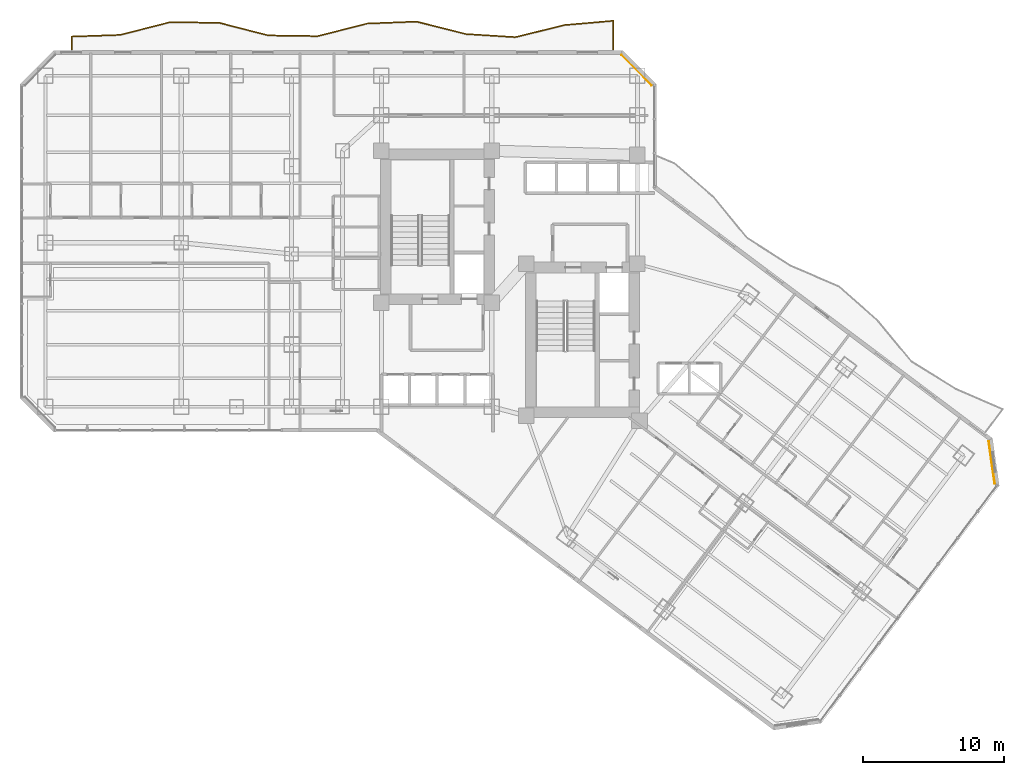
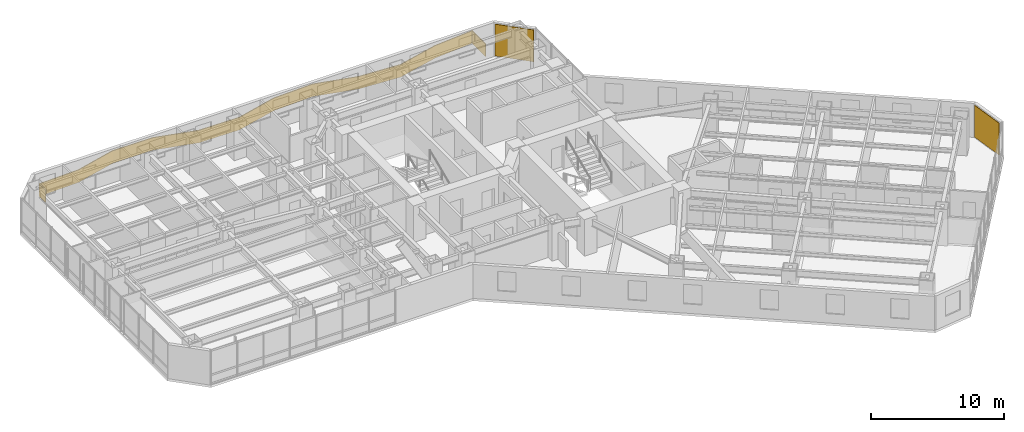
# One storey, part 33 of 33: 2 coverings, 1 railing.
"""IFC4 building model written with IfcOpenShell, lengths in metres."""

from ifc_helpers import new_model, si_unit, direction, frame, origin, origin_2d, place, context, subcontext, project, spatial, polyline, rectangle, outline, extrude, material, layer, layer_set, type_object, element, save


model = new_model("IFC4")

# Units and contexts
model_context = context("Model", 3, precision=1e-05, world=origin(), true_north=direction((0.0, 1.0)))
body_context = subcontext(model_context, "Body", "Model", "MODEL_VIEW")
ifc_project = project(units=[si_unit("LENGTHUNIT", "METRE"), si_unit("AREAUNIT", "SQUARE_METRE"), si_unit("VOLUMEUNIT", "CUBIC_METRE"), si_unit("PLANEANGLEUNIT", "RADIAN"), si_unit("MASSUNIT", "GRAM", prefix="KILO")], contexts=[model_context])

# Site, building, storey
site_placement = place(None, origin())
site = spatial("IfcSite", under=ifc_project, at=site_placement, CompositionType="ELEMENT")
building_placement = place(site_placement, origin())
building = spatial("IfcBuilding", under=site, at=building_placement, Name="Hatsunagi Terrace Concourse", CompositionType="ELEMENT")
storey_placement = place(building_placement, frame((0.0, 0.0, 56.699951171875)))
storey = spatial("IfcBuildingStorey", under=building, at=storey_placement, Name="L14", CompositionType="ELEMENT", Elevation=56.699951171875)

# Railing
ifc_material_1 = material(Name="Laminated Glass and Stainless Steel Guard", Category="steel")
ifc_layer_1 = layer(ifc_material_1, 0.070068359375)
ifc_layer_set_1 = layer_set([ifc_layer_1], Name="BalconyGlassGuardRail_1150")
railing_type = type_object("IfcRailingType", Name="BalconyGlassGuardRail_1150", PredefinedType="BALUSTRADE", material=ifc_layer_set_1)
railing_placement = place(storey_placement, origin())
element("IfcRailing", 1, at=railing_placement, inside=storey, type_object=railing_type, Name="Engawa Balcony Guard GRD-01 L14-BN-1", PredefinedType="BALUSTRADE", context=body_context, shape_type="SweptSolid", body=[
    extrude(outline(polyline([(3.614990234375, 50.449951171875), (3.68505859375, 50.449951171875), (3.68505859375, 51.34228515625), (7.10302734375, 51.4580078125), (10.59228515625, 52.35205078125), (14.061279296875, 52.318115234375), (17.55224609375, 51.421142578125), (21.065185546875, 51.369873046875), (24.55712890625, 52.26220703125), (28.02734375, 52.397705078125), (31.513671875, 51.519287109375), (35.025146484375, 51.298583984375), (38.522705078125, 52.158447265625), (41.9150390625, 52.450927734375), (41.9150390625, 50.449951171875), (41.985107421875, 50.449951171875), (41.985107421875, 52.527099609375), (38.51123046875, 52.2275390625), (35.018798828125, 51.369384765625), (31.5244140625, 51.588623046875), (28.03466796875, 52.46826171875), (24.546875, 52.331787109375), (21.056884765625, 51.440185546875), (17.561767578125, 51.490966796875), (14.070556640625, 52.387939453125), (10.583740234375, 52.422119140625), (7.093017578125, 51.52783203125), (3.614990234375, 51.409912109375), (3.614990234375, 50.449951171875)])), origin(), (0.0, 0.0, 1.0), 1.150146484375),
])

# Coverings
ifc_material_2 = material(Name="Unglazed Warm Terracotta Rainscreen Tile", Category="masonry")
ifc_layer_2 = layer(ifc_material_2, 0.044921875)
ifc_layer_set_2 = layer_set([ifc_layer_2], Name="TerracottaRainscreenCladding_45")
covering_type = type_object("IfcCoveringType", Name="TerracottaRainscreenCladding_45", PredefinedType="CLADDING", material=ifc_layer_set_2)
for number, where, z_axis, x_axis, name in (
    (2, (68.700927734375, 21.258056640625, 0.10009765625), (0.0, 0.0, 1.0), (0.141250262458, -0.989973920543, 0.0), "Terracotta Rainscreen Cladding L14-02"),
    (3, (43.5859375, 48.986083984375, 0.10009765625), (0.0, 0.0, 1.0), (0.707106781187, -0.707106781187, 0.0), "Terracotta Rainscreen Cladding L14-12"),
):
    element("IfcCovering", number, at=place(storey_placement, frame(where, z_axis=z_axis, x_axis=x_axis)), inside=storey, type_object=covering_type, Name=name, PredefinedType="CLADDING", context=body_context, shape_type="SweptSolid", body=[
        extrude(rectangle(XDim=3.0380859375, YDim=0.044921875, at=origin_2d()), origin(), (0.0, 0.0, 1.0), 2.929931640625),
    ])

save(model, "model.ifc")
